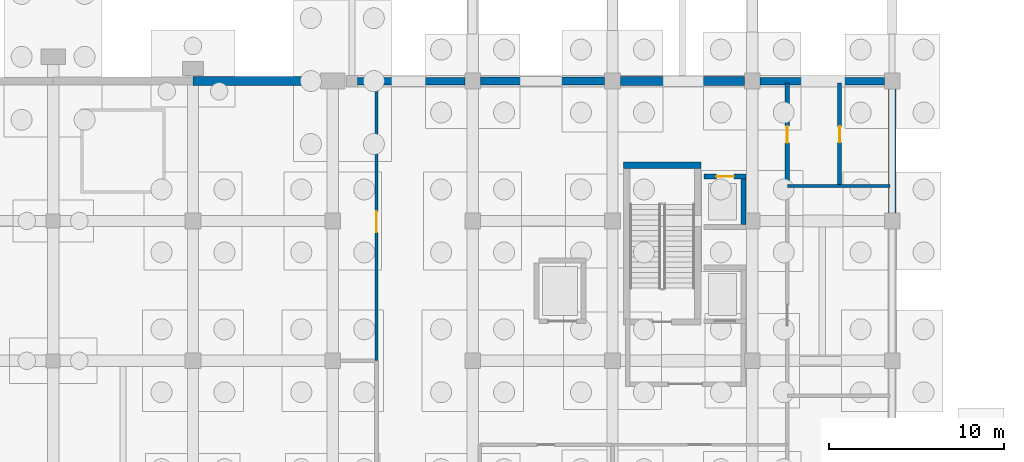
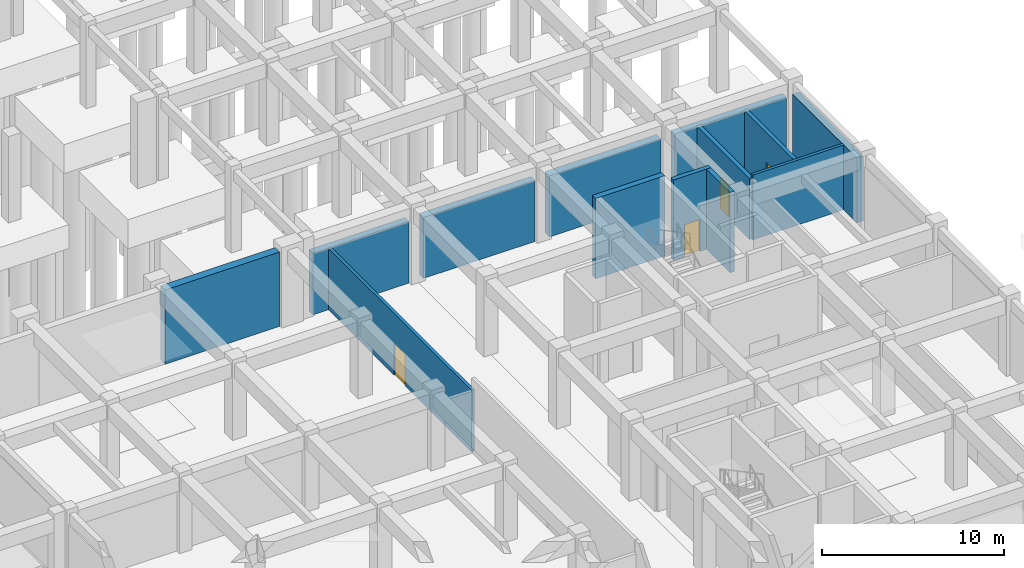
# One storey, part 31 of 45: 13 walls, 4 doors, 4 openings.
"""IFC4 building model written with IfcOpenShell, lengths in metres."""

from ifc_helpers import new_model, si_unit, direction, frame, frame_2d, origin, place, context, subcontext, project, spatial, rectangle, extrude, material, layer, layer_set, type_object, element, fill, save


model = new_model("IFC4")

# Units and contexts
model_context = context("Model", 3, precision=1e-05, world=origin(), true_north=direction((0.0, 1.0)))
body_context = subcontext(model_context, "Body", "Model", "MODEL_VIEW")
ifc_project = project(units=[si_unit("LENGTHUNIT", "METRE"), si_unit("AREAUNIT", "SQUARE_METRE"), si_unit("VOLUMEUNIT", "CUBIC_METRE"), si_unit("PLANEANGLEUNIT", "RADIAN"), si_unit("MASSUNIT", "GRAM", prefix="KILO")], contexts=[model_context])

# Site, building, storey
site_placement = place(None, origin())
site = spatial("IfcSite", under=ifc_project, at=site_placement, CompositionType="ELEMENT")
building_placement = place(site_placement, origin())
building = spatial("IfcBuilding", under=site, at=building_placement, Name="Kenh Van Central Station", CompositionType="ELEMENT")
storey_placement = place(building_placement, frame((0.0, 0.0, -5.39990234375)))
storey = spatial("IfcBuildingStorey", under=building, at=storey_placement, Name="B1", CompositionType="ELEMENT", Elevation=-5.39990234375)

# Wall, opening, door
ifc_material_1 = material(Name="Lightweight acoustic masonry blockwork", Category="masonry")
ifc_layer_1 = layer(ifc_material_1, 0.18994140625, Name="Lightweight acoustic masonry blockwork")
ifc_layer_set_1 = layer_set([ifc_layer_1], Name="Lightweight acoustic masonry blockwork")
wall_type_1 = type_object("IfcWallType", Name="WL-COMP-190", PredefinedType="SOLIDWALL", material=ifc_layer_set_1)
wall_1_placement = place(storey_placement, frame((146.5, 48.02001953125, 0.0), z_axis=(0.0, 0.0, 1.0), x_axis=(0.0, 1.0, 0.0)))
wall_1 = element("IfcWall", 1, at=wall_1_placement, inside=storey, type_object=wall_type_1, Name="B1 interior wall 0025", PredefinedType="SOLIDWALL", context=body_context, shape_type="SweptSolid", body=[
    extrude(rectangle(XDim=15.85986328125, YDim=0.18994140625, at=frame_2d((7.929931640625, 0.0))), origin(), (0.0, 0.0, 1.0), 4.14990234375),
])
opening_1_placement = place(wall_1_placement, frame((7.330078125, 0.0, 0.0)))
opening_1 = element("IfcOpeningElement", 2, at=opening_1_placement, cuts=wall_1, Name="Opening D-FD60S", PredefinedType="OPENING", context=body_context, shape_type="SweptSolid", body=[
    extrude(rectangle(XDim=1.199951171875, YDim=2.14990234375, at=frame_2d((0.60009765625, 1.074951171875))), frame((0.0, 0.10498046875, 0.0), z_axis=(0.0, -1.0, 0.0), x_axis=(1.0, 0.0, 0.0)), (0.0, 0.0, 1.0), 0.2099609375),
])
ifc_material_2 = material(Name="Champagne anodised aluminium", Category="aluminium")
door_type_1 = type_object("IfcDoorType", Name="DR-FIRE-1200x2150", OperationType="NOTDEFINED", PredefinedType="DOOR", material=ifc_material_2)
door_1_placement = place(opening_1_placement, origin())
door_1 = element("IfcDoor", 3, at=door_1_placement, inside=storey, type_object=door_type_1, Name="B1 interior door 0015", OperationType="SINGLE_SWING_RIGHT", OverallHeight=2.14990234375, OverallWidth=1.199951171875, PredefinedType="DOOR", context=body_context, shape_type="SweptSolid", body=[
    extrude(rectangle(XDim=1.199951171875, YDim=2.14990234375, at=frame_2d((0.60009765625, 1.074951171875))), frame((0.0, 0.02490234375, 0.0), z_axis=(0.0, -1.0, 0.0), x_axis=(1.0, 0.0, 0.0)), (0.0, 0.0, 1.0), 0.050048828125),
])
fill(opening_1, door_1)

ifc_material_3 = material(Name="Concrete C40/50", Category="concrete")
ifc_layer_2 = layer(ifc_material_3, 0.280029296875, Name="Concrete C40/50")
ifc_layer_set_2 = layer_set([ifc_layer_2], Name="Concrete C40/50")
wall_type_2 = type_object("IfcWallType", Name="WL-CORE-280", PredefinedType="SHEAR", material=ifc_layer_set_2)
wall_2_placement = place(storey_placement, frame((165.25, 58.5400390625, 0.0), z_axis=(0.0, 0.0, 1.0), x_axis=(1.0, 0.0, 0.0)))
wall_2 = element("IfcWall", 4, at=wall_2_placement, inside=storey, type_object=wall_type_2, Name="B1 LIFT-OP2 shaft wall N", PredefinedType="SHEAR", context=body_context, shape_type="SweptSolid", body=[
    extrude(rectangle(XDim=2.3798828125, YDim=0.280029296875, at=frame_2d((1.18994140625, 0.0))), origin(), (0.0, 0.0, 1.0), 5.39990234375),
])
opening_2_placement = place(wall_2_placement, frame((0.68994140625, 0.0, 0.0)))
opening_2 = element("IfcOpeningElement", 5, at=opening_2_placement, cuts=wall_2, Name="Opening LD-OP1", PredefinedType="OPENING", context=body_context, shape_type="SweptSolid", body=[
    extrude(rectangle(XDim=1.0, YDim=2.14990234375, at=frame_2d((0.5, 1.074951171875))), frame((0.0, 0.14990234375, 0.0), z_axis=(0.0, -1.0, 0.0), x_axis=(1.0, 0.0, 0.0)), (0.0, 0.0, 1.0), 0.300048828125),
])
door_type_2 = type_object("IfcDoorType", Name="DR-LIFT-1000x2150", OperationType="SLIDING_TO_LEFT", PredefinedType="DOOR", material=ifc_material_2)
door_2_placement = place(opening_2_placement, origin())
door_2 = element("IfcDoor", 6, at=door_2_placement, inside=storey, type_object=door_type_2, Name="B1 LIFT-OP2 sliding landing door", OperationType="SLIDING_TO_LEFT", OverallHeight=2.14990234375, OverallWidth=1.0, PredefinedType="DOOR", context=body_context, shape_type="SweptSolid", body=[
    extrude(rectangle(XDim=1.0, YDim=2.14990234375, at=frame_2d((0.5, 1.074951171875))), frame((0.0, 0.02490234375, 0.0), z_axis=(0.0, -1.0, 0.0), x_axis=(1.0, 0.0, 0.0)), (0.0, 0.0, 1.0), 0.050048828125),
])
fill(opening_2, door_2)

# Walls
wall_3_placement = place(storey_placement, frame((167.489990234375, 55.800048828125, 0.0), z_axis=(0.0, 0.0, 1.0), x_axis=(0.0, 1.0, 0.0)))
element("IfcWall", 7, at=wall_3_placement, inside=storey, type_object=wall_type_2, Name="B1 LIFT-OP2 shaft wall E", PredefinedType="SHEAR", context=body_context, shape_type="SweptSolid", body=[
    extrude(rectangle(XDim=2.599853515625, YDim=0.280029296875, at=frame_2d((1.2998046875, 0.0))), origin(), (0.0, 0.0, 1.0), 5.39990234375),
])
ifc_layer_3 = layer(ifc_material_3, 0.360107421875, Name="Concrete C40/50")
ifc_layer_set_3 = layer_set([ifc_layer_3], Name="Concrete C40/50")
wall_type_3 = type_object("IfcWallType", Name="WL-CORE-360", PredefinedType="SHEAR", material=ifc_layer_set_3)
wall_4_placement = place(storey_placement, frame((160.639892578125, 59.179931640625, 0.0), z_axis=(0.0, 0.0, 1.0), x_axis=(1.0, 0.0, 0.0)))
element("IfcWall", 8, at=wall_4_placement, inside=storey, type_object=wall_type_3, Name="B1 CORE-10 stair wall N", PredefinedType="SHEAR", context=body_context, shape_type="SweptSolid", body=[
    extrude(rectangle(XDim=4.420166015625, YDim=0.360107421875, at=frame_2d((2.2099609375, 0.0))), origin(), (0.0, 0.0, 1.0), 5.39990234375),
])
ifc_layer_4 = layer(ifc_material_1, 0.18505859375, Name="Lightweight acoustic masonry blockwork")
ifc_layer_set_4 = layer_set([ifc_layer_4], Name="Lightweight acoustic masonry blockwork")
wall_type_4 = type_object("IfcWallType", Name="WL-PLMB-185", PredefinedType="PLUMBINGWALL", material=ifc_layer_set_4)
wall_5_placement = place(storey_placement, frame((170.02001953125, 58.0, 0.0), z_axis=(0.0, 0.0, 1.0), x_axis=(1.0, 0.0, 0.0)))
element("IfcWall", 9, at=wall_5_placement, inside=storey, type_object=wall_type_4, Name="B1 interior wall 0032", PredefinedType="PLUMBINGWALL", context=body_context, shape_type="SweptSolid", body=[
    extrude(rectangle(XDim=5.85986328125, YDim=0.18505859375, at=frame_2d((2.929931640625, 0.0))), origin(), (0.0, 0.0, 1.0), 4.35986328125),
])

# Wall, opening, door
ifc_layer_5 = layer(ifc_material_1, 0.22998046875, Name="Lightweight acoustic masonry blockwork")
ifc_layer_set_5 = layer_set([ifc_layer_5], Name="Lightweight acoustic masonry blockwork")
wall_type_5 = type_object("IfcWallType", Name="WL-PLMB-230", PredefinedType="PLUMBINGWALL", material=ifc_layer_set_5)
wall_6_placement = place(storey_placement, frame((173.0, 58.02001953125, 0.0), z_axis=(0.0, 0.0, 1.0), x_axis=(0.0, 1.0, 0.0)))
wall_6 = element("IfcWall", 10, at=wall_6_placement, inside=storey, type_object=wall_type_5, Name="B1 interior wall 0034", PredefinedType="PLUMBINGWALL", context=body_context, shape_type="SweptSolid", body=[
    extrude(rectangle(XDim=5.85986328125, YDim=0.22998046875, at=frame_2d((2.929931640625, 0.0))), origin(), (0.0, 0.0, 1.0), 4.10986328125),
])
opening_3_placement = place(wall_6_placement, frame((2.469970703125, 0.0, 0.0)))
opening_3 = element("IfcOpeningElement", 11, at=opening_3_placement, cuts=wall_6, Name="Opening D-IN09", PredefinedType="OPENING", context=body_context, shape_type="SweptSolid", body=[
    extrude(rectangle(XDim=0.919921875, YDim=2.10009765625, at=frame_2d((0.4599609375, 1.050048828125))), frame((0.0, 0.125, 0.0), z_axis=(0.0, -1.0, 0.0), x_axis=(1.0, 0.0, 0.0)), (0.0, 0.0, 1.0), 0.25),
])
ifc_material_4 = material(Name="Architectural hardwood timber", Category="wood")
door_type_3 = type_object("IfcDoorType", Name="DR-INT-920x2100", OperationType="NOTDEFINED", PredefinedType="DOOR", material=ifc_material_4)
door_3_placement = place(opening_3_placement, origin())
door_3 = element("IfcDoor", 12, at=door_3_placement, inside=storey, type_object=door_type_3, Name="B1 interior door 0020", OperationType="SINGLE_SWING_LEFT", OverallHeight=2.10009765625, OverallWidth=0.919921875, PredefinedType="DOOR", context=body_context, shape_type="SweptSolid", body=[
    extrude(rectangle(XDim=0.919921875, YDim=2.10009765625, at=frame_2d((0.4599609375, 1.050048828125))), frame((0.0, 0.02490234375, 0.0), z_axis=(0.0, -1.0, 0.0), x_axis=(1.0, 0.0, 0.0)), (0.0, 0.0, 1.0), 0.050048828125),
])
fill(opening_3, door_3)

ifc_layer_6 = layer(ifc_material_1, 0.27001953125, Name="Lightweight acoustic masonry blockwork")
ifc_layer_set_6 = layer_set([ifc_layer_6], Name="Lightweight acoustic masonry blockwork")
wall_type_6 = type_object("IfcWallType", Name="WL-PLMB-270", PredefinedType="PLUMBINGWALL", material=ifc_layer_set_6)
wall_7_placement = place(storey_placement, frame((170.0, 58.02001953125, 0.0), z_axis=(0.0, 0.0, 1.0), x_axis=(0.0, 1.0, 0.0)))
wall_7 = element("IfcWall", 13, at=wall_7_placement, inside=storey, type_object=wall_type_6, Name="B1 interior wall 0033", PredefinedType="PLUMBINGWALL", context=body_context, shape_type="SweptSolid", body=[
    extrude(rectangle(XDim=5.85986328125, YDim=0.27001953125, at=frame_2d((2.929931640625, 0.0))), origin(), (0.0, 0.0, 1.0), 4.10986328125),
])
opening_4_placement = place(wall_7_placement, frame((2.449951171875, 0.0, 0.0)))
opening_4 = element("IfcOpeningElement", 14, at=opening_4_placement, cuts=wall_7, Name="Opening D-IN08", PredefinedType="OPENING", context=body_context, shape_type="SweptSolid", body=[
    extrude(rectangle(XDim=0.9599609375, YDim=2.10009765625, at=frame_2d((0.47998046875, 1.050048828125))), frame((0.0, 0.14501953125, 0.0), z_axis=(0.0, -1.0, 0.0), x_axis=(1.0, 0.0, 0.0)), (0.0, 0.0, 1.0), 0.2900390625),
])
door_type_4 = type_object("IfcDoorType", Name="DR-INT-960x2100", OperationType="NOTDEFINED", PredefinedType="DOOR", material=ifc_material_4)
door_4_placement = place(opening_4_placement, origin())
door_4 = element("IfcDoor", 15, at=door_4_placement, inside=storey, type_object=door_type_4, Name="B1 interior door 0019", OperationType="SINGLE_SWING_RIGHT", OverallHeight=2.10009765625, OverallWidth=0.9599609375, PredefinedType="DOOR", context=body_context, shape_type="SweptSolid", body=[
    extrude(rectangle(XDim=0.9599609375, YDim=2.10009765625, at=frame_2d((0.47998046875, 1.050048828125))), frame((0.0, 0.02490234375, 0.0), z_axis=(0.0, -1.0, 0.0), x_axis=(1.0, 0.0, 0.0)), (0.0, 0.0, 1.0), 0.050048828125),
])
fill(opening_4, door_4)

# Walls
ifc_layer_7 = layer(ifc_material_3, 0.419921875, Name="Concrete C40/50")
ifc_layer_set_7 = layer_set([ifc_layer_7], Name="Concrete C40/50")
wall_type_7 = type_object("IfcWallType", Name="WL-RET-420", PredefinedType="USERDEFINED", material=ifc_layer_set_7)
wall_8_placement = place(storey_placement, frame((176.0, 56.449951171875, 0.0), z_axis=(0.0, 0.0, 1.0), x_axis=(0.0, 1.0, 0.0)))
element("IfcWall", 16, at=wall_8_placement, inside=storey, type_object=wall_type_7, Name="B1 retaining wall 042", ObjectType="RETAININGWALL", PredefinedType="USERDEFINED", context=body_context, shape_type="SweptSolid", body=[
    extrude(rectangle(XDim=7.10009765625, YDim=0.419921875, at=frame_2d((3.550048828125, 0.0))), origin(), (0.0, 0.0, 1.0), 4.35986328125),
])
wall_9_placement = place(storey_placement, frame((145.425048828125, 64.0, 0.0), z_axis=(0.0, 0.0, 1.0), x_axis=(1.0, 0.0, 0.0)))
element("IfcWall", 17, at=wall_9_placement, inside=storey, type_object=wall_type_7, Name="B1 retaining wall 060", ObjectType="RETAININGWALL", PredefinedType="USERDEFINED", context=body_context, shape_type="SweptSolid", body=[
    extrude(rectangle(XDim=6.125, YDim=0.419921875, at=frame_2d((3.0625, 0.0))), origin(), (0.0, 0.0, 1.0), 4.14990234375),
])
wall_10_placement = place(storey_placement, frame((168.449951171875, 64.0, 0.0), z_axis=(0.0, 0.0, 1.0), x_axis=(1.0, 0.0, 0.0)))
element("IfcWall", 18, at=wall_10_placement, inside=storey, type_object=wall_type_7, Name="B1 retaining wall 063", ObjectType="RETAININGWALL", PredefinedType="USERDEFINED", context=body_context, shape_type="SweptSolid", body=[
    extrude(rectangle(XDim=7.10009765625, YDim=0.419921875, at=frame_2d((3.550048828125, 0.0))), origin(), (0.0, 0.0, 1.0), 4.10986328125),
])
ifc_layer_8 = layer(ifc_material_3, 0.449951171875, Name="Concrete C40/50")
ifc_layer_set_8 = layer_set([ifc_layer_8], Name="Concrete C40/50")
wall_type_8 = type_object("IfcWallType", Name="WL-RET-450", PredefinedType="USERDEFINED", material=ifc_layer_set_8)
wall_11_placement = place(storey_placement, frame((152.449951171875, 64.0, 0.0), z_axis=(0.0, 0.0, 1.0), x_axis=(1.0, 0.0, 0.0)))
element("IfcWall", 19, at=wall_11_placement, inside=storey, type_object=wall_type_8, Name="B1 retaining wall 061", ObjectType="RETAININGWALL", PredefinedType="USERDEFINED", context=body_context, shape_type="SweptSolid", body=[
    extrude(rectangle(XDim=7.10009765625, YDim=0.449951171875, at=frame_2d((3.550048828125, 0.0))), origin(), (0.0, 0.0, 1.0), 4.10986328125),
])
ifc_layer_9 = layer(ifc_material_3, 0.5, Name="Concrete C40/50")
ifc_layer_set_9 = layer_set([ifc_layer_9], Name="Concrete C40/50")
wall_type_9 = type_object("IfcWallType", Name="WL-RET-500", PredefinedType="USERDEFINED", material=ifc_layer_set_9)
wall_12_placement = place(storey_placement, frame((136.0, 64.0, 0.0), z_axis=(0.0, 0.0, 1.0), x_axis=(1.0, 0.0, 0.0)))
element("IfcWall", 20, at=wall_12_placement, inside=storey, type_object=wall_type_9, Name="B1 retaining wall 059", ObjectType="RETAININGWALL", PredefinedType="USERDEFINED", context=body_context, shape_type="SweptSolid", body=[
    extrude(rectangle(XDim=7.300048828125, YDim=0.5, at=frame_2d((3.64990234375, 0.0))), origin(), (0.0, 0.0, 1.0), 5.0),
])
wall_13_placement = place(storey_placement, frame((160.449951171875, 64.0, 0.0), z_axis=(0.0, 0.0, 1.0), x_axis=(1.0, 0.0, 0.0)))
element("IfcWall", 21, at=wall_13_placement, inside=storey, type_object=wall_type_9, Name="B1 retaining wall 062", ObjectType="RETAININGWALL", PredefinedType="USERDEFINED", context=body_context, shape_type="SweptSolid", body=[
    extrude(rectangle(XDim=7.10009765625, YDim=0.5, at=frame_2d((3.550048828125, 0.0))), origin(), (0.0, 0.0, 1.0), 4.10986328125),
])

save(model, "model.ifc")
